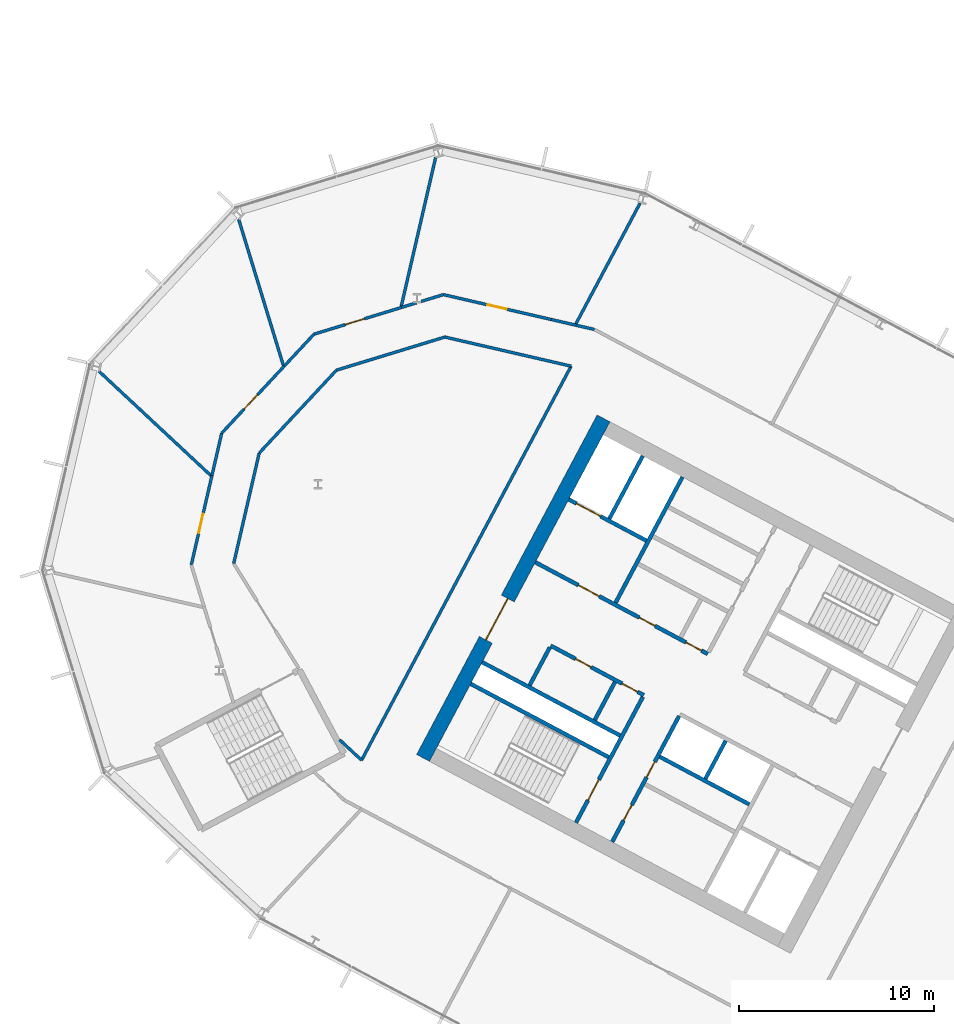
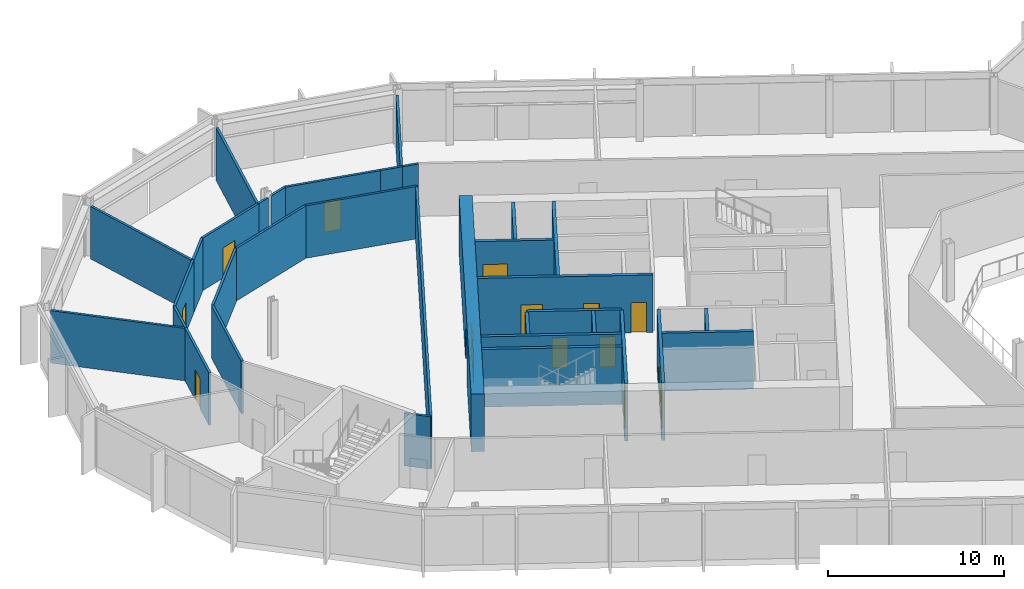
# One storey, part 18 of 34: 34 walls, 14 doors, 14 openings.
"""IFC4 building model written with IfcOpenShell, lengths in metres."""

from ifc_helpers import new_model, si_unit, direction, frame, frame_2d, origin, place, context, subcontext, project, spatial, rectangle, extrude, material, layer, layer_set, type_object, element, fill, save


model = new_model("IFC4")

# Units and contexts
model_context = context("Model", 3, precision=1e-05, world=origin(), true_north=direction((0.0, 1.0)))
body_context = subcontext(model_context, "Body", "Model", "MODEL_VIEW")
ifc_project = project(units=[si_unit("LENGTHUNIT", "METRE"), si_unit("AREAUNIT", "SQUARE_METRE"), si_unit("VOLUMEUNIT", "CUBIC_METRE"), si_unit("PLANEANGLEUNIT", "RADIAN"), si_unit("MASSUNIT", "GRAM", prefix="KILO")], contexts=[model_context])

# Site, building, storey
site_placement = place(None, origin())
site = spatial("IfcSite", under=ifc_project, at=site_placement, CompositionType="ELEMENT")
building_placement = place(site_placement, origin())
building = spatial("IfcBuilding", under=site, at=building_placement, Name="Cormorant Relay Tower", CompositionType="ELEMENT")
storey_placement = place(building_placement, frame((0.0, 0.0, 118.199951171875)))
storey = spatial("IfcBuildingStorey", under=building, at=storey_placement, Name="L23", CompositionType="ELEMENT", Elevation=118.199951171875)

# Walls
ifc_material_1 = material(Name="Concrete 40 MPa", Category="concrete")
ifc_layer_1 = layer(ifc_material_1, 0.199951171875)
ifc_layer_set_1 = layer_set([ifc_layer_1], Name="Core internal wall 200")
wall_type_1 = type_object("IfcWallType", Name="Core internal wall 200", PredefinedType="SOLIDWALL", material=ifc_layer_set_1)
wall_1_placement = place(storey_placement, frame((-25.744140625, 11.64990234375, 0.0), z_axis=(0.0, 0.0, 1.0), x_axis=(-0.469487830541, -0.882938942948, 0.0)))
element("IfcWall", 1, at=wall_1_placement, inside=storey, type_object=wall_type_1, Name="L23 core A shaft and room wall", PredefinedType="SOLIDWALL", context=body_context, shape_type="SweptSolid", body=[
    extrude(rectangle(XDim=2.2001953125, YDim=0.199951171875, at=frame_2d((1.10009765625, 0.0))), origin(), (0.0, 0.0, 1.0), 4.0),
])
wall_2_placement = place(storey_placement, frame((-31.41259765625, 14.663818359375, 0.0), z_axis=(0.0, 0.0, 1.0), x_axis=(-0.469533832133, -0.882914480843, 0.0)))
element("IfcWall", 2, at=wall_2_placement, inside=storey, type_object=wall_type_1, Name="L23 core A shaft and room wall", PredefinedType="SOLIDWALL", context=body_context, shape_type="SweptSolid", body=[
    extrude(rectangle(XDim=2.199951171875, YDim=0.199951171875, at=frame_2d((1.10009765625, 0.0))), origin(), (0.0, 0.0, 1.0), 4.0),
])

# Wall, openings, doors
ifc_material_2 = material(Name="Concrete 50 MPa", Category="concrete")
ifc_layer_2 = layer(ifc_material_2, 0.199951171875)
ifc_layer_set_2 = layer_set([ifc_layer_2], Name="Core shaft wall 200")
wall_type_2 = type_object("IfcWallType", Name="Core shaft wall 200", PredefinedType="SHEAR", material=ifc_layer_set_2)
wall_3_placement = place(storey_placement, frame((-28.128173828125, 12.91748046875, 0.0), z_axis=(0.0, 0.0, 1.0), x_axis=(-0.469454336211, -0.882956752176, 0.0)))
wall_3 = element("IfcWall", 3, at=wall_3_placement, inside=storey, type_object=wall_type_2, Name="L23 core A shaft wall", PredefinedType="SHEAR", context=body_context, shape_type="SweptSolid", body=[
    extrude(rectangle(XDim=7.300048828125, YDim=0.199951171875, at=frame_2d((3.64990234375, 0.0))), origin(), (0.0, 0.0, 1.0), 4.0),
])
opening_1_placement = place(wall_3_placement, frame((2.64990234375, 0.0, 0.0)))
opening_1 = element("IfcOpeningElement", 4, at=opening_1_placement, cuts=wall_3, Name="Opening CDD-172", PredefinedType="OPENING", context=body_context, shape_type="SweptSolid", body=[
    extrude(rectangle(XDim=0.89990234375, YDim=2.10009765625, at=frame_2d((0.449951171875, 1.050048828125))), frame((0.0, 0.10986328125, 0.0), z_axis=(0.0, -1.0, 0.0), x_axis=(1.0, 0.0, 0.0)), (0.0, 0.0, 1.0), 0.219970703125),
])
opening_2_placement = place(wall_3_placement, frame((5.14990234375, 0.0, 0.0)))
opening_2 = element("IfcOpeningElement", 5, at=opening_2_placement, cuts=wall_3, Name="Opening CDD-173", PredefinedType="OPENING", context=body_context, shape_type="SweptSolid", body=[
    extrude(rectangle(XDim=0.89990234375, YDim=2.10009765625, at=frame_2d((0.449951171875, 1.050048828125))), frame((0.0, 0.10986328125, 0.0), z_axis=(0.0, -1.0, 0.0), x_axis=(1.0, 0.0, 0.0)), (0.0, 0.0, 1.0), 0.219970703125),
])
ifc_material_3 = material(Name="Steel fire door", Category="steel")
door_type_1 = type_object("IfcDoorType", Name="Core room door 900x2100", OperationType="SINGLE_SWING_LEFT", PredefinedType="DOOR", material=ifc_material_3)
door_1_placement = place(opening_1_placement, origin())
door_1 = element("IfcDoor", 6, at=door_1_placement, inside=storey, type_object=door_type_1, Name="Core room door 900x2100", OperationType="SINGLE_SWING_LEFT", OverallHeight=2.10009765625, OverallWidth=0.89990234375, PredefinedType="DOOR", context=body_context, shape_type="SweptSolid", body=[
    extrude(rectangle(XDim=0.89990234375, YDim=2.10009765625, at=frame_2d((0.449951171875, 1.050048828125))), frame((0.0, 0.02490234375, 0.0), z_axis=(0.0, -1.0, 0.0), x_axis=(1.0, 0.0, 0.0)), (0.0, 0.0, 1.0), 0.050048828125),
])
fill(opening_1, door_1)
door_2_placement = place(opening_2_placement, origin())
door_2 = element("IfcDoor", 7, at=door_2_placement, inside=storey, type_object=door_type_1, Name="Core room door 900x2100", OperationType="SINGLE_SWING_LEFT", OverallHeight=2.10009765625, OverallWidth=0.89990234375, PredefinedType="DOOR", context=body_context, shape_type="SweptSolid", body=[
    extrude(rectangle(XDim=0.89990234375, YDim=2.10009765625, at=frame_2d((0.449951171875, 1.050048828125))), frame((0.0, 0.02490234375, 0.0), z_axis=(0.0, -1.0, 0.0), x_axis=(1.0, 0.0, 0.0)), (0.0, 0.0, 1.0), 0.050048828125),
])
fill(opening_2, door_2)

# Wall, opening, door
wall_4_placement = place(storey_placement, frame((-29.982421875, 13.9033203125, 0.0), z_axis=(0.0, 0.0, 1.0), x_axis=(-0.469454336211, -0.882956752176, 0.0)))
wall_4 = element("IfcWall", 8, at=wall_4_placement, inside=storey, type_object=wall_type_2, Name="L23 core A shaft wall", PredefinedType="SHEAR", context=body_context, shape_type="SweptSolid", body=[
    extrude(rectangle(XDim=7.300048828125, YDim=0.199951171875, at=frame_2d((3.64990234375, 0.0))), origin(), (0.0, 0.0, 1.0), 4.0),
])
opening_3_placement = place(wall_4_placement, frame((4.800048828125, 0.0, 0.0)))
opening_3 = element("IfcOpeningElement", 9, at=opening_3_placement, cuts=wall_4, Name="Opening CDB-035", PredefinedType="OPENING", context=body_context, shape_type="SweptSolid", body=[
    extrude(rectangle(XDim=1.199951171875, YDim=2.10009765625, at=frame_2d((0.60009765625, 1.050048828125))), frame((0.0, 0.10986328125, 0.0), z_axis=(0.0, -1.0, 0.0), x_axis=(1.0, 0.0, 0.0)), (0.0, 0.0, 1.0), 0.219970703125),
])
ifc_material_4 = material(Name="Steel fire door", Category="steel")
door_type_2 = type_object("IfcDoorType", Name="Core stair door 1200x2100", OperationType="SINGLE_SWING_LEFT", PredefinedType="DOOR", material=ifc_material_4)
door_3_placement = place(opening_3_placement, frame((1.199951171875, 0.0, 0.0), z_axis=(0.0, 0.0, 1.0), x_axis=(-1.0, 0.0, 0.0)))
door_3 = element("IfcDoor", 10, at=door_3_placement, inside=storey, type_object=door_type_2, Name="Core stair door 1200x2100", OperationType="SINGLE_SWING_RIGHT", OverallHeight=2.10009765625, OverallWidth=1.199951171875, PredefinedType="DOOR", context=body_context, shape_type="SweptSolid", body=[
    extrude(rectangle(XDim=1.199951171875, YDim=2.10009765625, at=frame_2d((0.60009765625, 1.050048828125))), frame((0.0, 0.02490234375, 0.0), z_axis=(0.0, -1.0, 0.0), x_axis=(1.0, 0.0, 0.0)), (0.0, 0.0, 1.0), 0.050048828125),
])
fill(opening_3, door_3)

# Walls
wall_5_placement = place(storey_placement, frame((-27.955322265625, 25.170654296875, 0.0), z_axis=(0.0, 0.0, 1.0), x_axis=(-0.469480409012, -0.88294288918, 0.0)))
element("IfcWall", 11, at=wall_5_placement, inside=storey, type_object=wall_type_2, Name="L23 core A shaft wall", PredefinedType="SHEAR", context=body_context, shape_type="SweptSolid", body=[
    extrude(rectangle(XDim=7.300048828125, YDim=0.199951171875, at=frame_2d((3.64990234375, 0.0))), origin(), (0.0, 0.0, 1.0), 4.0),
])
wall_6_placement = place(storey_placement, frame((-34.750244140625, 16.4384765625, 0.0), z_axis=(0.0, 0.0, 1.0), x_axis=(-0.469401318492, -0.882984938828, 0.0)))
element("IfcWall", 12, at=wall_6_placement, inside=storey, type_object=wall_type_2, Name="L23 core A shaft wall", PredefinedType="SHEAR", context=body_context, shape_type="SweptSolid", body=[
    extrude(rectangle(XDim=2.199951171875, YDim=0.199951171875, at=frame_2d((1.10009765625, 0.0))), origin(), (0.0, 0.0, 1.0), 4.0),
])
wall_7_placement = place(storey_placement, frame((-29.986083984375, 26.250244140625, 0.0), z_axis=(0.0, 0.0, 1.0), x_axis=(-0.469494272526, -0.882935517501, 0.0)))
element("IfcWall", 13, at=wall_7_placement, inside=storey, type_object=wall_type_2, Name="L23 core A shaft wall", PredefinedType="SHEAR", context=body_context, shape_type="SweptSolid", body=[
    extrude(rectangle(XDim=3.64990234375, YDim=0.199951171875, at=frame_2d((1.824951171875, 0.0))), origin(), (0.0, 0.0, 1.0), 4.0),
])

# Wall, opening, door
wall_8_placement = place(storey_placement, frame((-29.80419921875, 21.906494140625, 0.0), z_axis=(0.0, 0.0, 1.0), x_axis=(-0.882960433586, 0.469447412093, 0.0)))
wall_8 = element("IfcWall", 14, at=wall_8_placement, inside=storey, type_object=wall_type_2, Name="L23 core A shaft wall", PredefinedType="SHEAR", context=body_context, shape_type="SweptSolid", body=[
    extrude(rectangle(XDim=4.5, YDim=0.199951171875, at=frame_2d((2.25, 0.0))), origin(), (0.0, 0.0, 1.0), 4.0),
])
opening_4_placement = place(wall_8_placement, frame((2.64990234375, 0.0, 0.0)))
opening_4 = element("IfcOpeningElement", 15, at=opening_4_placement, cuts=wall_8, Name="Opening LD3-013", PredefinedType="OPENING", context=body_context, shape_type="SweptSolid", body=[
    extrude(rectangle(XDim=1.39990234375, YDim=2.39990234375, at=frame_2d((0.699951171875, 1.199951171875))), frame((0.0, 0.10986328125, 0.0), z_axis=(0.0, -1.0, 0.0), x_axis=(1.0, 0.0, 0.0)), (0.0, 0.0, 1.0), 0.219970703125),
])
ifc_material_5 = material(Name="Stainless steel 316", Category="steel")
door_type_3 = type_object("IfcDoorType", Name="Lift landing door 1400x2400", OperationType="DOUBLE_DOOR_SLIDING", PredefinedType="DOOR", material=ifc_material_5)
door_4_placement = place(opening_4_placement, origin())
door_4 = element("IfcDoor", 16, at=door_4_placement, inside=storey, type_object=door_type_3, Name="SV1 landing door", OperationType="DOUBLE_DOOR_SLIDING", OverallHeight=2.39990234375, OverallWidth=1.39990234375, PredefinedType="DOOR", context=body_context, shape_type="SweptSolid", body=[
    extrude(rectangle(XDim=1.39990234375, YDim=2.39990234375, at=frame_2d((0.699951171875, 1.199951171875))), frame((0.0, 0.02490234375, 0.0), z_axis=(0.0, -1.0, 0.0), x_axis=(1.0, 0.0, 0.0)), (0.0, 0.0, 1.0), 0.050048828125),
])
fill(opening_4, door_4)

# Wall, openings, doors
wall_9_placement = place(storey_placement, frame((-26.66162109375, 16.1015625, 0.0), z_axis=(0.0, 0.0, 1.0), x_axis=(-0.882940221191, 0.469485426614, 0.0)))
wall_9 = element("IfcWall", 17, at=wall_9_placement, inside=storey, type_object=wall_type_2, Name="L23 core A shaft wall", PredefinedType="SHEAR", context=body_context, shape_type="SweptSolid", body=[
    extrude(rectangle(XDim=10.0, YDim=0.199951171875, at=frame_2d((5.0, 0.0))), origin(), (0.0, 0.0, 1.0), 4.0),
])
opening_5_placement = place(wall_9_placement, frame((6.300048828125, 0.0, 0.0)))
opening_5 = element("IfcOpeningElement", 18, at=opening_5_placement, cuts=wall_9, Name="Opening CDC-026", PredefinedType="OPENING", context=body_context, shape_type="SweptSolid", body=[
    extrude(rectangle(XDim=1.199951171875, YDim=2.10009765625, at=frame_2d((0.60009765625, 1.050048828125))), frame((0.0, 0.10986328125, 0.0), z_axis=(0.0, -1.0, 0.0), x_axis=(1.0, 0.0, 0.0)), (0.0, 0.0, 1.0), 0.219970703125),
])
opening_6_placement = place(wall_9_placement, frame((0.360107421875, 0.0, 0.0)))
opening_6 = element("IfcOpeningElement", 19, at=opening_6_placement, cuts=wall_9, Name="Opening CDD-170", PredefinedType="OPENING", context=body_context, shape_type="SweptSolid", body=[
    extrude(rectangle(XDim=0.89990234375, YDim=2.10009765625, at=frame_2d((0.449951171875, 1.050048828125))), frame((0.0, 0.10986328125, 0.0), z_axis=(0.0, -1.0, 0.0), x_axis=(1.0, 0.0, 0.0)), (0.0, 0.0, 1.0), 0.219970703125),
])
opening_7_placement = place(wall_9_placement, frame((3.06005859375, 0.0, 0.0)))
opening_7 = element("IfcOpeningElement", 20, at=opening_7_placement, cuts=wall_9, Name="Opening CDD-171", PredefinedType="OPENING", context=body_context, shape_type="SweptSolid", body=[
    extrude(rectangle(XDim=0.89990234375, YDim=2.10009765625, at=frame_2d((0.449951171875, 1.050048828125))), frame((0.0, 0.10986328125, 0.0), z_axis=(0.0, -1.0, 0.0), x_axis=(1.0, 0.0, 0.0)), (0.0, 0.0, 1.0), 0.219970703125),
])
ifc_material_6 = material(Name="Steel fire door", Category="steel")
door_type_4 = type_object("IfcDoorType", Name="Core lobby door 1200x2100", OperationType="SINGLE_SWING_LEFT", PredefinedType="DOOR", material=ifc_material_6)
door_5_placement = place(opening_5_placement, origin())
door_5 = element("IfcDoor", 21, at=door_5_placement, inside=storey, type_object=door_type_4, Name="Core lobby door 1200x2100", OperationType="SINGLE_SWING_LEFT", OverallHeight=2.10009765625, OverallWidth=1.199951171875, PredefinedType="DOOR", context=body_context, shape_type="SweptSolid", body=[
    extrude(rectangle(XDim=1.199951171875, YDim=2.10009765625, at=frame_2d((0.60009765625, 1.050048828125))), frame((0.0, 0.02490234375, 0.0), z_axis=(0.0, -1.0, 0.0), x_axis=(1.0, 0.0, 0.0)), (0.0, 0.0, 1.0), 0.050048828125),
])
fill(opening_5, door_5)
door_6_placement = place(opening_6_placement, origin())
door_6 = element("IfcDoor", 22, at=door_6_placement, inside=storey, type_object=door_type_1, Name="Core room door 900x2100", OperationType="SINGLE_SWING_LEFT", OverallHeight=2.10009765625, OverallWidth=0.89990234375, PredefinedType="DOOR", context=body_context, shape_type="SweptSolid", body=[
    extrude(rectangle(XDim=0.89990234375, YDim=2.10009765625, at=frame_2d((0.449951171875, 1.050048828125))), frame((0.0, 0.02490234375, 0.0), z_axis=(0.0, -1.0, 0.0), x_axis=(1.0, 0.0, 0.0)), (0.0, 0.0, 1.0), 0.050048828125),
])
fill(opening_6, door_6)
door_7_placement = place(opening_7_placement, origin())
door_7 = element("IfcDoor", 23, at=door_7_placement, inside=storey, type_object=door_type_1, Name="Core room door 900x2100", OperationType="SINGLE_SWING_LEFT", OverallHeight=2.10009765625, OverallWidth=0.89990234375, PredefinedType="DOOR", context=body_context, shape_type="SweptSolid", body=[
    extrude(rectangle(XDim=0.89990234375, YDim=2.10009765625, at=frame_2d((0.449951171875, 1.050048828125))), frame((0.0, 0.02490234375, 0.0), z_axis=(0.0, -1.0, 0.0), x_axis=(1.0, 0.0, 0.0)), (0.0, 0.0, 1.0), 0.050048828125),
])
fill(opening_7, door_7)

wall_10_placement = place(storey_placement, frame((-29.935302734375, 13.991455078125, 0.0), z_axis=(0.0, 0.0, 1.0), x_axis=(-0.882952937579, 0.469461510692, 0.0)))
wall_10 = element("IfcWall", 24, at=wall_10_placement, inside=storey, type_object=wall_type_2, Name="L23 core A shaft wall", PredefinedType="SHEAR", context=body_context, shape_type="SweptSolid", body=[
    extrude(rectangle(XDim=5.400146484375, YDim=0.199951171875, at=frame_2d((2.7001953125, 0.0))), origin(), (0.0, 0.0, 1.0), 4.0),
])
opening_8_placement = place(wall_10_placement, frame((0.360107421875, 0.0, 0.0)))
opening_8 = element("IfcOpeningElement", 25, at=opening_8_placement, cuts=wall_10, Name="Opening CDD-166", PredefinedType="OPENING", context=body_context, shape_type="SweptSolid", body=[
    extrude(rectangle(XDim=0.89990234375, YDim=2.10009765625, at=frame_2d((0.449951171875, 1.050048828125))), frame((0.0, 0.10986328125, 0.0), z_axis=(0.0, -1.0, 0.0), x_axis=(1.0, 0.0, 0.0)), (0.0, 0.0, 1.0), 0.219970703125),
])
opening_9_placement = place(wall_10_placement, frame((3.06005859375, 0.0, 0.0)))
opening_9 = element("IfcOpeningElement", 26, at=opening_9_placement, cuts=wall_10, Name="Opening CDD-167", PredefinedType="OPENING", context=body_context, shape_type="SweptSolid", body=[
    extrude(rectangle(XDim=0.89990234375, YDim=2.10009765625, at=frame_2d((0.449951171875, 1.050048828125))), frame((0.0, 0.10986328125, 0.0), z_axis=(0.0, -1.0, 0.0), x_axis=(1.0, 0.0, 0.0)), (0.0, 0.0, 1.0), 0.219970703125),
])
door_8_placement = place(opening_8_placement, origin())
door_8 = element("IfcDoor", 27, at=door_8_placement, inside=storey, type_object=door_type_1, Name="Core room door 900x2100", OperationType="SINGLE_SWING_LEFT", OverallHeight=2.10009765625, OverallWidth=0.89990234375, PredefinedType="DOOR", context=body_context, shape_type="SweptSolid", body=[
    extrude(rectangle(XDim=0.89990234375, YDim=2.10009765625, at=frame_2d((0.449951171875, 1.050048828125))), frame((0.0, 0.02490234375, 0.0), z_axis=(0.0, -1.0, 0.0), x_axis=(1.0, 0.0, 0.0)), (0.0, 0.0, 1.0), 0.050048828125),
])
fill(opening_8, door_8)
door_9_placement = place(opening_9_placement, origin())
door_9 = element("IfcDoor", 28, at=door_9_placement, inside=storey, type_object=door_type_1, Name="Core room door 900x2100", OperationType="SINGLE_SWING_LEFT", OverallHeight=2.10009765625, OverallWidth=0.89990234375, PredefinedType="DOOR", context=body_context, shape_type="SweptSolid", body=[
    extrude(rectangle(XDim=0.89990234375, YDim=2.10009765625, at=frame_2d((0.449951171875, 1.050048828125))), frame((0.0, 0.02490234375, 0.0), z_axis=(0.0, -1.0, 0.0), x_axis=(1.0, 0.0, 0.0)), (0.0, 0.0, 1.0), 0.050048828125),
])
fill(opening_9, door_9)

# Walls
wall_11_placement = place(storey_placement, frame((-24.5283203125, 8.3984375, 0.0), z_axis=(0.0, 0.0, 1.0), x_axis=(-0.882953967957, 0.469459572775, 0.0)))
element("IfcWall", 29, at=wall_11_placement, inside=storey, type_object=wall_type_2, Name="L23 core A shaft wall", PredefinedType="SHEAR", context=body_context, shape_type="SweptSolid", body=[
    extrude(rectangle(XDim=5.199951171875, YDim=0.199951171875, at=frame_2d((2.60009765625, 0.0))), origin(), (0.0, 0.0, 1.0), 4.0),
])
for number, where, z_axis, x_axis, name in (
    (30, (-31.150390625, 11.91943359375, 0.0), (0.0, 0.0, 1.0), (-0.882940221191, 0.469485426614, 0.0), "L23 core A shaft wall"),
    (31, (-31.7373046875, 10.815673828125, 0.0), (0.0, 0.0, 1.0), (-0.882940221191, 0.469485426614, 0.0), "L23 core A shaft wall"),
):
    element("IfcWall", number, at=place(storey_placement, frame(where, z_axis=z_axis, x_axis=x_axis)), inside=storey, type_object=wall_type_2, Name=name, PredefinedType="SHEAR", context=body_context, shape_type="SweptSolid", body=[
        extrude(rectangle(XDim=8.0, YDim=0.199951171875, at=frame_2d((4.0, 0.0))), origin(), (0.0, 0.0, 1.0), 4.0),
    ])

# Wall, opening, door
ifc_material_7 = material(Name="Concrete 60 MPa", Category="concrete")
ifc_layer_3 = layer(ifc_material_7, 0.75)
ifc_layer_set_3 = layer_set([ifc_layer_3], Name="Core wall 750")
wall_type_3 = type_object("IfcWallType", Name="Core wall 750", PredefinedType="SHEAR", material=ifc_layer_set_3)
wall_12_placement = place(storey_placement, frame((-31.995849609375, 28.16845703125, 0.0), z_axis=(0.0, 0.0, 1.0), x_axis=(-0.469479580143, -0.882943329908, 0.0)))
wall_12 = element("IfcWall", 32, at=wall_12_placement, inside=storey, type_object=wall_type_3, Name="L23 core A wall", PredefinedType="SHEAR", context=body_context, shape_type="SweptSolid", body=[
    extrude(rectangle(XDim=19.699951171875, YDim=0.75, at=frame_2d((9.85009765625, 0.0))), origin(), (0.0, 0.0, 1.0), 4.0),
])
opening_10_placement = place(wall_12_placement, frame((10.449951171875, 0.0, 0.0)))
opening_10 = element("IfcOpeningElement", 33, at=opening_10_placement, cuts=wall_12, Name="Opening CDA-027", PredefinedType="OPENING", context=body_context, shape_type="SweptSolid", body=[
    extrude(rectangle(XDim=2.39990234375, YDim=2.39990234375, at=frame_2d((1.199951171875, 1.199951171875))), frame((0.0, 0.385009765625, 0.0), z_axis=(0.0, -1.0, 0.0), x_axis=(1.0, 0.0, 0.0)), (0.0, 0.0, 1.0), 0.77001953125),
])
ifc_material_8 = material(Name="Steel fire door", Category="steel")
door_type_5 = type_object("IfcDoorType", Name="Core lobby door 2400x2400", OperationType="DOUBLE_DOOR_SINGLE_SWING", PredefinedType="DOOR", material=ifc_material_8)
door_10_placement = place(opening_10_placement, origin())
door_10 = element("IfcDoor", 34, at=door_10_placement, inside=storey, type_object=door_type_5, Name="Core lobby door 2400x2400", OperationType="DOUBLE_DOOR_SINGLE_SWING", OverallHeight=2.39990234375, OverallWidth=2.39990234375, PredefinedType="DOOR", context=body_context, shape_type="SweptSolid", body=[
    extrude(rectangle(XDim=2.39990234375, YDim=2.39990234375, at=frame_2d((1.199951171875, 1.199951171875))), frame((0.0, 0.02490234375, 0.0), z_axis=(0.0, -1.0, 0.0), x_axis=(1.0, 0.0, 0.0)), (0.0, 0.0, 1.0), 0.050048828125),
])
fill(opening_10, door_10)

ifc_material_9 = material(Name="Gypsum board fire partition")
ifc_layer_4 = layer(ifc_material_9, 0.14990234375)
ifc_layer_set_4 = layer_set([ifc_layer_4], Name="Corridor partition 150 EI 60")
wall_type_4 = type_object("IfcWallType", Name="Corridor partition 150 EI 60", PredefinedType="PARTITIONING", material=ifc_layer_set_4)
wall_13_placement = place(storey_placement, frame((-52.055908203125, 25.24609375, 0.0), z_axis=(0.0, 0.0, 1.0), x_axis=(-0.224961765576, -0.97436759184, 0.0)))
wall_13 = element("IfcWall", 35, at=wall_13_placement, inside=storey, type_object=wall_type_4, Name="wall/L23/part/004", PredefinedType="PARTITIONING", context=body_context, shape_type="SweptSolid", body=[
    extrude(rectangle(XDim=4.707763671875, YDim=0.14990234375, at=frame_2d((2.35400390625, 0.0))), origin(), (0.0, 0.0, 1.0), 3.64013671875),
])
opening_11_placement = place(wall_13_placement, frame((2.02392578125, 0.0, 0.0)))
opening_11 = element("IfcOpeningElement", 36, at=opening_11_placement, cuts=wall_13, Name="Opening DS-011", PredefinedType="OPENING", context=body_context, shape_type="SweptSolid", body=[
    extrude(rectangle(XDim=1.0, YDim=2.10009765625, at=frame_2d((0.5, 1.050048828125))), frame((0.0, 0.0849609375, 0.0), z_axis=(0.0, -1.0, 0.0), x_axis=(1.0, 0.0, 0.0)), (0.0, 0.0, 1.0), 0.169921875),
])
ifc_material_10 = material(Name="Timber door leaf", Category="wood")
door_type_6 = type_object("IfcDoorType", Name="Suite door 1000x2100", OperationType="SINGLE_SWING_LEFT", PredefinedType="DOOR", material=ifc_material_10)
door_11_placement = place(opening_11_placement, frame((1.0, 0.0, 0.0), z_axis=(0.0, 0.0, 1.0), x_axis=(-1.0, 0.0, 0.0)))
door_11 = element("IfcDoor", 37, at=door_11_placement, inside=storey, type_object=door_type_6, Name="door/L23/015", OperationType="SINGLE_SWING_RIGHT", OverallHeight=2.10009765625, OverallWidth=1.0, PredefinedType="DOOR", context=body_context, shape_type="SweptSolid", body=[
    extrude(rectangle(XDim=1.0, YDim=2.10009765625, at=frame_2d((0.5, 1.050048828125))), frame((0.0, 0.02490234375, 0.0), z_axis=(0.0, -1.0, 0.0), x_axis=(1.0, 0.0, 0.0)), (0.0, 0.0, 1.0), 0.050048828125),
])
fill(opening_11, door_11)

wall_14_placement = place(storey_placement, frame((-48.344970703125, 30.85595703125, 0.0), z_axis=(0.0, 0.0, 1.0), x_axis=(-0.682044743799, -0.731310445335, 0.0)))
wall_14 = element("IfcWall", 38, at=wall_14_placement, inside=storey, type_object=wall_type_4, Name="wall/L23/part/008", PredefinedType="PARTITIONING", context=body_context, shape_type="SweptSolid", body=[
    extrude(rectangle(XDim=4.707763671875, YDim=0.14990234375, at=frame_2d((2.35400390625, 0.0))), origin(), (0.0, 0.0, 1.0), 3.64013671875),
])
opening_12_placement = place(wall_14_placement, frame((2.02392578125, 0.0, 0.0)))
opening_12 = element("IfcOpeningElement", 39, at=opening_12_placement, cuts=wall_14, Name="Opening DS-010", PredefinedType="OPENING", context=body_context, shape_type="SweptSolid", body=[
    extrude(rectangle(XDim=1.0, YDim=2.10009765625, at=frame_2d((0.5, 1.050048828125))), frame((0.0, 0.0849609375, 0.0), z_axis=(0.0, -1.0, 0.0), x_axis=(1.0, 0.0, 0.0)), (0.0, 0.0, 1.0), 0.169921875),
])
door_12_placement = place(opening_12_placement, frame((1.0, 0.0, 0.0), z_axis=(0.0, 0.0, 1.0), x_axis=(-1.0, 0.0, 0.0)))
door_12 = element("IfcDoor", 40, at=door_12_placement, inside=storey, type_object=door_type_6, Name="door/L23/014", OperationType="SINGLE_SWING_RIGHT", OverallHeight=2.10009765625, OverallWidth=1.0, PredefinedType="DOOR", context=body_context, shape_type="SweptSolid", body=[
    extrude(rectangle(XDim=1.0, YDim=2.10009765625, at=frame_2d((0.5, 1.050048828125))), frame((0.0, 0.02490234375, 0.0), z_axis=(0.0, -1.0, 0.0), x_axis=(1.0, 0.0, 0.0)), (0.0, 0.0, 1.0), 0.050048828125),
])
fill(opening_12, door_12)

# Wall
wall_15_placement = place(storey_placement, frame((-51.555908203125, 27.4130859375, 0.0), z_axis=(0.0, 0.0, 1.0), x_axis=(-0.225019992363, -0.974354146621, 0.0)))
element("IfcWall", 41, at=wall_15_placement, inside=storey, type_object=wall_type_4, Name="wall/L23/part/009", PredefinedType="PARTITIONING", context=body_context, shape_type="SweptSolid", body=[
    extrude(rectangle(XDim=2.221923828125, YDim=0.14990234375, at=frame_2d((1.11083984375, 0.0))), origin(), (0.0, 0.0, 1.0), 3.64013671875),
])

# Wall, opening, door
wall_16_placement = place(storey_placement, frame((-42.325927734375, 33.85791015625, 0.0), z_axis=(0.0, 0.0, 1.0), x_axis=(-0.956351168554, -0.292219852858, 0.0)))
wall_16 = element("IfcWall", 42, at=wall_16_placement, inside=storey, type_object=wall_type_4, Name="wall/L23/part/013", PredefinedType="PARTITIONING", context=body_context, shape_type="SweptSolid", body=[
    extrude(rectangle(XDim=4.708740234375, YDim=0.14990234375, at=frame_2d((2.3544921875, 0.0))), origin(), (0.0, 0.0, 1.0), 3.64013671875),
])
opening_13_placement = place(wall_16_placement, frame((2.02490234375, 0.0, 0.0)))
opening_13 = element("IfcOpeningElement", 43, at=opening_13_placement, cuts=wall_16, Name="Opening DS-009", PredefinedType="OPENING", context=body_context, shape_type="SweptSolid", body=[
    extrude(rectangle(XDim=1.0, YDim=2.10009765625, at=frame_2d((0.5, 1.050048828125))), frame((0.0, 0.0849609375, 0.0), z_axis=(0.0, -1.0, 0.0), x_axis=(1.0, 0.0, 0.0)), (0.0, 0.0, 1.0), 0.169921875),
])
door_13_placement = place(opening_13_placement, frame((1.0, 0.0, 0.0), z_axis=(0.0, 0.0, 1.0), x_axis=(-1.0, 0.0, 0.0)))
door_13 = element("IfcDoor", 44, at=door_13_placement, inside=storey, type_object=door_type_6, Name="door/L23/013", OperationType="SINGLE_SWING_RIGHT", OverallHeight=2.10009765625, OverallWidth=1.0, PredefinedType="DOOR", context=body_context, shape_type="SweptSolid", body=[
    extrude(rectangle(XDim=1.0, YDim=2.10009765625, at=frame_2d((0.5, 1.050048828125))), frame((0.0, 0.02490234375, 0.0), z_axis=(0.0, -1.0, 0.0), x_axis=(1.0, 0.0, 0.0)), (0.0, 0.0, 1.0), 0.050048828125),
])
fill(opening_13, door_13)

# Walls
wall_17_placement = place(storey_placement, frame((-46.8291015625, 32.48193359375, 0.0), z_axis=(0.0, 0.0, 1.0), x_axis=(-0.681891349178, -0.731453476249, 0.0)))
element("IfcWall", 45, at=wall_17_placement, inside=storey, type_object=wall_type_4, Name="wall/L23/part/014", PredefinedType="PARTITIONING", context=body_context, shape_type="SweptSolid", body=[
    extrude(rectangle(XDim=2.2216796875, YDim=0.14990234375, at=frame_2d((1.11083984375, 0.0))), origin(), (0.0, 0.0, 1.0), 3.64013671875),
])
wall_18_placement = place(storey_placement, frame((-50.94189453125, 20.735107421875, 0.0), z_axis=(0.0, 0.0, 1.0), x_axis=(0.224933214218, 0.974374183331, 0.0)))
element("IfcWall", 46, at=wall_18_placement, inside=storey, type_object=wall_type_4, Name="wall/L23/part/016", PredefinedType="PARTITIONING", context=body_context, shape_type="SweptSolid", body=[
    extrude(rectangle(XDim=5.8056640625, YDim=0.14990234375, at=frame_2d((2.90283203125, 0.0))), origin(), (0.0, 0.0, 1.0), 3.64013671875),
])
wall_19_placement = place(storey_placement, frame((-49.635986328125, 26.39208984375, 0.0), z_axis=(0.0, 0.0, 1.0), x_axis=(0.681967545176, 0.731382435752, 0.0)))
element("IfcWall", 47, at=wall_19_placement, inside=storey, type_object=wall_type_4, Name="wall/L23/part/017", PredefinedType="PARTITIONING", context=body_context, shape_type="SweptSolid", body=[
    extrude(rectangle(XDim=5.80517578125, YDim=0.14990234375, at=frame_2d((2.902587890625, 0.0))), origin(), (0.0, 0.0, 1.0), 3.64013671875),
])
wall_20_placement = place(storey_placement, frame((-45.677001953125, 30.637939453125, 0.0), z_axis=(0.0, 0.0, 1.0), x_axis=(0.956291169849, 0.292416139208, 0.0)))
element("IfcWall", 48, at=wall_20_placement, inside=storey, type_object=wall_type_4, Name="wall/L23/part/018", PredefinedType="PARTITIONING", context=body_context, shape_type="SweptSolid", body=[
    extrude(rectangle(XDim=5.806884765625, YDim=0.14990234375, at=frame_2d((2.9033203125, 0.0))), origin(), (0.0, 0.0, 1.0), 3.64013671875),
])
wall_21_placement = place(storey_placement, frame((-40.1240234375, 32.3359375, 0.0), z_axis=(0.0, 0.0, 1.0), x_axis=(0.974383752234, -0.224891759259, 0.0)))
element("IfcWall", 49, at=wall_21_placement, inside=storey, type_object=wall_type_4, Name="wall/L23/part/019", PredefinedType="PARTITIONING", context=body_context, shape_type="SweptSolid", body=[
    extrude(rectangle(XDim=6.634033203125, YDim=0.14990234375, at=frame_2d((3.31689453125, 0.0))), origin(), (0.0, 0.0, 1.0), 3.64013671875),
])
wall_22_placement = place(storey_placement, frame((-33.659912109375, 30.843994140625, 0.0), z_axis=(0.0, 0.0, 1.0), x_axis=(-0.469473234242, -0.882946704128, 0.0)))
element("IfcWall", 50, at=wall_22_placement, inside=storey, type_object=wall_type_4, Name="wall/L23/part/020", PredefinedType="PARTITIONING", context=body_context, shape_type="SweptSolid", body=[
    extrude(rectangle(XDim=22.862060546875, YDim=0.14990234375, at=frame_2d((11.43115234375, 0.0))), origin(), (0.0, 0.0, 1.0), 3.64013671875),
])

# Wall, opening, door
wall_23_placement = place(storey_placement, frame((-34.677001953125, 33.23388671875, 0.0), z_axis=(0.0, 0.0, 1.0), x_axis=(-0.974367234575, 0.224963312978, 0.0)))
wall_23 = element("IfcWall", 51, at=wall_23_placement, inside=storey, type_object=wall_type_4, Name="wall/L23/part/026", PredefinedType="PARTITIONING", context=body_context, shape_type="SweptSolid", body=[
    extrude(rectangle(XDim=5.668212890625, YDim=0.14990234375, at=frame_2d((2.833984375, 0.0))), origin(), (0.0, 0.0, 1.0), 3.64013671875),
])
opening_14_placement = place(wall_23_placement, frame((2.35009765625, 0.0, 0.0)))
opening_14 = element("IfcOpeningElement", 52, at=opening_14_placement, cuts=wall_23, Name="Opening DS-008", PredefinedType="OPENING", context=body_context, shape_type="SweptSolid", body=[
    extrude(rectangle(XDim=1.0, YDim=2.10009765625, at=frame_2d((0.5, 1.050048828125))), frame((0.0, 0.0849609375, 0.0), z_axis=(0.0, -1.0, 0.0), x_axis=(1.0, 0.0, 0.0)), (0.0, 0.0, 1.0), 0.169921875),
])
door_14_placement = place(opening_14_placement, frame((1.0, 0.0, 0.0), z_axis=(0.0, 0.0, 1.0), x_axis=(-1.0, 0.0, 0.0)))
door_14 = element("IfcDoor", 53, at=door_14_placement, inside=storey, type_object=door_type_6, Name="door/L23/012", OperationType="SINGLE_SWING_RIGHT", OverallHeight=2.10009765625, OverallWidth=1.0, PredefinedType="DOOR", context=body_context, shape_type="SweptSolid", body=[
    extrude(rectangle(XDim=1.0, YDim=2.10009765625, at=frame_2d((0.5, 1.050048828125))), frame((0.0, 0.02490234375, 0.0), z_axis=(0.0, -1.0, 0.0), x_axis=(1.0, 0.0, 0.0)), (0.0, 0.0, 1.0), 0.050048828125),
])
fill(opening_14, door_14)

# Walls
wall_24_placement = place(storey_placement, frame((-40.199951171875, 34.509033203125, 0.0), z_axis=(0.0, 0.0, 1.0), x_axis=(-0.956177669283, -0.29278706386, 0.0)))
element("IfcWall", 54, at=wall_24_placement, inside=storey, type_object=wall_type_4, Name="wall/L23/part/027", PredefinedType="PARTITIONING", context=body_context, shape_type="SweptSolid", body=[
    extrude(rectangle(XDim=1.18896484375, YDim=0.14990234375, at=frame_2d((0.594482421875, 0.0))), origin(), (0.0, 0.0, 1.0), 3.64013671875),
])
wall_25_placement = place(storey_placement, frame((-41.58203125, 34.0869140625, 0.0), z_axis=(0.0, 0.0, 1.0), x_axis=(-0.956187735772, -0.292754186919, 0.0)))
element("IfcWall", 55, at=wall_25_placement, inside=storey, type_object=wall_type_4, Name="wall/L23/part/028", PredefinedType="PARTITIONING", context=body_context, shape_type="SweptSolid", body=[
    extrude(rectangle(XDim=0.798828125, YDim=0.14990234375, at=frame_2d((0.3994140625, 0.0))), origin(), (0.0, 0.0, 1.0), 3.64013671875),
])
wall_26_placement = place(storey_placement, frame((-34.677001953125, 33.23388671875, 0.0), z_axis=(0.0, 0.0, 1.0), x_axis=(0.974222435733, -0.22558955143, 0.0)))
element("IfcWall", 56, at=wall_26_placement, inside=storey, type_object=wall_type_4, Name="wall/L23/part/030", PredefinedType="PARTITIONING", context=body_context, shape_type="SweptSolid", body=[
    extrude(rectangle(XDim=1.29443359375, YDim=0.14990234375, at=frame_2d((0.647216796875, 0.0))), origin(), (0.0, 0.0, 1.0), 3.64013671875),
])
wall_27_placement = place(storey_placement, frame((-32.469970703125, 32.72412109375, 0.0), z_axis=(0.0, 0.0, 1.0), x_axis=(-0.974513968147, 0.224326828281, 0.0)))
element("IfcWall", 57, at=wall_27_placement, inside=storey, type_object=wall_type_4, Name="wall/L23/part/032", PredefinedType="PARTITIONING", context=body_context, shape_type="SweptSolid", body=[
    extrude(rectangle(XDim=0.970703125, YDim=0.14990234375, at=frame_2d((0.4853515625, 0.0))), origin(), (0.0, 0.0, 1.0), 3.64013671875),
])
ifc_material_11 = material(Name="Gypsum board partition")
ifc_layer_5 = layer(ifc_material_11, 0.14990234375)
ifc_layer_set_5 = layer_set([ifc_layer_5], Name="Tenant partition 150")
wall_type_5 = type_object("IfcWallType", Name="Tenant partition 150", PredefinedType="PARTITIONING", material=ifc_layer_set_5)
wall_28_placement = place(storey_placement, frame((-57.841064453125, 30.580078125, 0.0), z_axis=(0.0, 0.0, 1.0), x_axis=(0.731373012185, -0.681977651428, 0.0)))
element("IfcWall", 58, at=wall_28_placement, inside=storey, type_object=wall_type_5, Name="wall/L23/part/002", PredefinedType="PARTITIONING", context=body_context, shape_type="SweptSolid", body=[
    extrude(rectangle(XDim=7.893310546875, YDim=0.14990234375, at=frame_2d((3.94677734375, 0.0))), origin(), (0.0, 0.0, 1.0), 3.64013671875),
])
wall_29_placement = place(storey_placement, frame((-50.68798828125, 38.365966796875, 0.0), z_axis=(0.0, 0.0, 1.0), x_axis=(0.292463739097, -0.956276613388, 0.0)))
element("IfcWall", 59, at=wall_29_placement, inside=storey, type_object=wall_type_5, Name="wall/L23/part/010", PredefinedType="PARTITIONING", context=body_context, shape_type="SweptSolid", body=[
    extrude(rectangle(XDim=7.891845703125, YDim=0.14990234375, at=frame_2d((3.94580078125, 0.0))), origin(), (0.0, 0.0, 1.0), 3.64013671875),
])
wall_30_placement = place(storey_placement, frame((-44.39306640625, 10.657958984375, 0.0), z_axis=(0.0, 0.0, 1.0), x_axis=(-0.731694425371, 0.681632795485, 0.0)))
element("IfcWall", 60, at=wall_30_placement, inside=storey, type_object=wall_type_5, Name="wall/L23/part/021", PredefinedType="PARTITIONING", context=body_context, shape_type="SweptSolid", body=[
    extrude(rectangle(XDim=1.5361328125, YDim=0.14990234375, at=frame_2d((0.76806640625, 0.0))), origin(), (0.0, 0.0, 1.0), 3.64013671875),
])
wall_31_placement = place(storey_placement, frame((-40.59912109375, 41.533935546875, 0.0), z_axis=(0.0, 0.0, 1.0), x_axis=(-0.225013130649, -0.974355731258, 0.0)))
element("IfcWall", 61, at=wall_31_placement, inside=storey, type_object=wall_type_5, Name="wall/L23/part/025", PredefinedType="PARTITIONING", context=body_context, shape_type="SweptSolid", body=[
    extrude(rectangle(XDim=7.892333984375, YDim=0.14990234375, at=frame_2d((3.9462890625, 0.0))), origin(), (0.0, 0.0, 1.0), 3.64013671875),
])
wall_32_placement = place(storey_placement, frame((-30.12890625, 39.18798828125, 0.0), z_axis=(0.0, 0.0, 1.0), x_axis=(-0.469506376509, -0.882929081194, 0.0)))
element("IfcWall", 62, at=wall_32_placement, inside=storey, type_object=wall_type_5, Name="wall/L23/part/031", PredefinedType="PARTITIONING", context=body_context, shape_type="SweptSolid", body=[
    extrude(rectangle(XDim=7.065185546875, YDim=0.14990234375, at=frame_2d((3.53271484375, 0.0))), origin(), (0.0, 0.0, 1.0), 3.64013671875),
])

save(model, "model.ifc")
